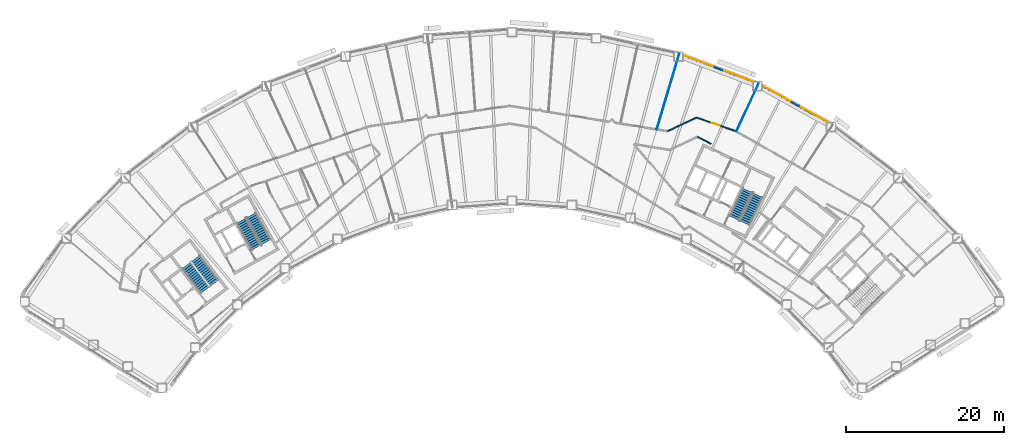
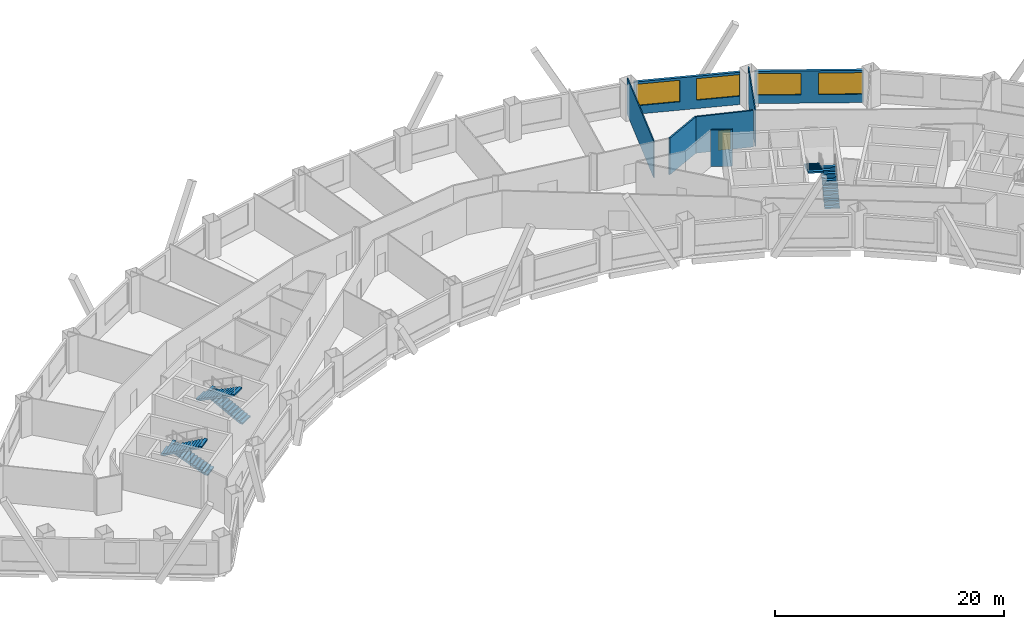
# One storey, part 9 of 12: 7 walls, 6 stair flights, 4 windows, 1 door, 5 openings, 3 elements without a shape of their own.
"""IFC4 building model written with IfcOpenShell, lengths in metres."""

from ifc_helpers import new_model, si_unit, direction, frame, frame_2d, origin, place, context, subcontext, project, spatial, polyline, rectangle, outline, extrude, material, layer, layer_set, type_object, element, fill, aggregate, save


model = new_model("IFC4")

# Units and contexts
model_context = context("Model", 3, precision=1e-05, world=origin(), true_north=direction((0.0, 1.0)))
body_context = subcontext(model_context, "Body", "Model", "MODEL_VIEW")
ifc_project = project(units=[si_unit("LENGTHUNIT", "METRE"), si_unit("AREAUNIT", "SQUARE_METRE"), si_unit("VOLUMEUNIT", "CUBIC_METRE"), si_unit("PLANEANGLEUNIT", "RADIAN"), si_unit("MASSUNIT", "GRAM", prefix="KILO")], contexts=[model_context])

# Site, building, storey
site_placement = place(None, origin())
site = spatial("IfcSite", under=ifc_project, at=site_placement, CompositionType="ELEMENT")
building_placement = place(site_placement, origin())
building = spatial("IfcBuilding", under=site, at=building_placement, Name="Tuul Gate Civic Tower", CompositionType="ELEMENT")
storey_placement = place(building_placement, frame((0.0, 0.0, 73.800048828125)))
storey = spatial("IfcBuildingStorey", under=building, at=storey_placement, Name="Level 16", CompositionType="ELEMENT", Elevation=73.800048828125)

# Wall, opening, door
ifc_material_1 = material(Name="Gypsum board partition")
ifc_layer_1 = layer(ifc_material_1, 0.14990234375)
ifc_layer_set_1 = layer_set([ifc_layer_1], Name="Gypsum board partition")
wall_type_1 = type_object("IfcWallType", Name="Corridor wall P150", PredefinedType="PARTITIONING", material=ifc_layer_set_1)
wall_1_placement = place(storey_placement, frame((28.1591796875, 7.878173828125, 0.0), z_axis=(0.0, 0.0, 1.0), x_axis=(0.945540696843, -0.32550390261, 0.0)))
wall_1 = element("IfcWall", 1, at=wall_1_placement, inside=storey, type_object=wall_type_1, Name="p013", PredefinedType="PARTITIONING", context=body_context, shape_type="SweptSolid", body=[
    extrude(rectangle(XDim=5.1474609375, YDim=0.14990234375, at=frame_2d((2.57373046875, 0.0))), origin(), (0.0, 0.0, 1.0), 3.89990234375),
])
opening_1_placement = place(wall_1_placement, frame((2.023681640625, 0.0, 0.0)))
opening_1 = element("IfcOpeningElement", 2, at=opening_1_placement, cuts=wall_1, Name="Opening E-D04", PredefinedType="OPENING", context=body_context, shape_type="SweptSolid", body=[
    extrude(rectangle(XDim=1.10009765625, YDim=2.10009765625, at=frame_2d((0.550048828125, 1.050048828125))), frame((0.0, 0.0849609375, 0.0), z_axis=(0.0, -1.0, 0.0), x_axis=(1.0, 0.0, 0.0)), (0.0, 0.0, 1.0), 0.169921875),
])
ifc_material_2 = material(Name="Timber door leaf", Category="wood")
door_type = type_object("IfcDoorType", Name="Door D11", OperationType="NOTDEFINED", PredefinedType="DOOR", material=ifc_material_2)
door_placement = place(opening_1_placement, origin())
door = element("IfcDoor", 3, at=door_placement, inside=storey, type_object=door_type, Name="Door E-D04", OperationType="SINGLE_SWING_RIGHT", OverallHeight=2.10009765625, OverallWidth=1.10009765625, PredefinedType="DOOR", context=body_context, shape_type="SweptSolid", body=[
    extrude(rectangle(XDim=1.10009765625, YDim=2.10009765625, at=frame_2d((0.550048828125, 1.050048828125))), frame((0.0, 0.02490234375, 0.0), z_axis=(0.0, -1.0, 0.0), x_axis=(1.0, 0.0, 0.0)), (0.0, 0.0, 1.0), 0.050048828125),
])
fill(opening_1, door)

# Walls
wall_2_placement = place(storey_placement, frame((24.51611328125, 6.15673828125, 0.0), z_axis=(0.0, 0.0, 1.0), x_axis=(0.904110153065, 0.427299463051, 0.0)))
element("IfcWall", 4, at=wall_2_placement, inside=storey, type_object=wall_type_1, Name="p014", PredefinedType="PARTITIONING", context=body_context, shape_type="SweptSolid", body=[
    extrude(rectangle(XDim=4.028564453125, YDim=0.14990234375, at=frame_2d((2.01416015625, 0.0))), origin(), (0.0, 0.0, 1.0), 3.89990234375),
])
wall_3_placement = place(storey_placement, frame((28.301025390625, 5.4482421875, 0.0), z_axis=(0.0, 0.0, 1.0), x_axis=(0.886812563629, -0.462129286011, 0.0)))
element("IfcWall", 5, at=wall_3_placement, inside=storey, type_object=wall_type_1, Name="p061", PredefinedType="PARTITIONING", context=body_context, shape_type="SweptSolid", body=[
    extrude(rectangle(XDim=1.929931640625, YDim=0.14990234375, at=frame_2d((0.96484375, 0.0))), origin(), (0.0, 0.0, 1.0), 3.89990234375),
])

# Wall, openings, windows
ifc_material_3 = material(Name="Precast concrete C40/50", Category="concrete")
ifc_layer_2 = layer(ifc_material_3, 0.25)
ifc_layer_set_2 = layer_set([ifc_layer_2], Name="Precast concrete C40/50")
wall_type_2 = type_object("IfcWallType", Name="External wall", PredefinedType="STANDARD", material=ifc_layer_set_2)
wall_4_placement = place(storey_placement, frame((44.798583984375, 7.283935546875, 0.0), z_axis=(0.0, 0.0, 1.0), x_axis=(-0.874600835604, 0.484843663835, 0.0)))
wall_4 = element("IfcWall", 6, at=wall_4_placement, inside=storey, type_object=wall_type_2, Name="External wall", PredefinedType="STANDARD", context=body_context, shape_type="SweptSolid", body=[
    extrude(rectangle(XDim=9.5205078125, YDim=0.25, at=frame_2d((4.76025390625, 0.0))), origin(), (0.0, 0.0, 1.0), 3.449951171875),
])
opening_2_placement = place(wall_4_placement, frame((0.0771484375, 0.0, 0.89990234375)))
opening_2 = element("IfcOpeningElement", 7, at=opening_2_placement, cuts=wall_4, Name="Opening W22", PredefinedType="OPENING", context=body_context, shape_type="SweptSolid", body=[
    extrude(rectangle(XDim=3.85009765625, YDim=2.300048828125, at=frame_2d((1.925048828125, 1.14990234375))), frame((0.0, 0.135009765625, 0.0), z_axis=(0.0, -1.0, 0.0), x_axis=(1.0, 0.0, 0.0)), (0.0, 0.0, 1.0), 0.27001953125),
])
opening_3_placement = place(wall_4_placement, frame((5.447998046875, 0.0, 0.89990234375)))
opening_3 = element("IfcOpeningElement", 8, at=opening_3_placement, cuts=wall_4, Name="Opening W22", PredefinedType="OPENING", context=body_context, shape_type="SweptSolid", body=[
    extrude(rectangle(XDim=3.85009765625, YDim=2.300048828125, at=frame_2d((1.925048828125, 1.14990234375))), frame((0.0, 0.135009765625, 0.0), z_axis=(0.0, -1.0, 0.0), x_axis=(1.0, 0.0, 0.0)), (0.0, 0.0, 1.0), 0.27001953125),
])
ifc_material_4 = material(Name="Glass", Category="glass")
window_type_1 = type_object("IfcWindowType", Name="Window W22 3850 x 2300", PartitioningType="SINGLE_PANEL", PredefinedType="WINDOW", material=ifc_material_4)
window_1_placement = place(opening_2_placement, origin())
window_1 = element("IfcWindow", 9, at=window_1_placement, inside=storey, type_object=window_type_1, Name="Window", OverallHeight=2.300048828125, OverallWidth=3.85009765625, PartitioningType="SINGLE_PANEL", PredefinedType="WINDOW", context=body_context, shape_type="SweptSolid", body=[
    extrude(rectangle(XDim=3.85009765625, YDim=2.300048828125, at=frame_2d((1.925048828125, 1.14990234375))), frame((0.0, 0.030029296875, 0.0), z_axis=(0.0, -1.0, 0.0), x_axis=(1.0, 0.0, 0.0)), (0.0, 0.0, 1.0), 0.06005859375),
])
fill(opening_2, window_1)
window_2_placement = place(opening_3_placement, origin())
window_2 = element("IfcWindow", 10, at=window_2_placement, inside=storey, type_object=window_type_1, Name="Window", OverallHeight=2.300048828125, OverallWidth=3.85009765625, PartitioningType="SINGLE_PANEL", PredefinedType="WINDOW", context=body_context, shape_type="SweptSolid", body=[
    extrude(rectangle(XDim=3.85009765625, YDim=2.300048828125, at=frame_2d((1.925048828125, 1.14990234375))), frame((0.0, 0.030029296875, 0.0), z_axis=(0.0, -1.0, 0.0), x_axis=(1.0, 0.0, 0.0)), (0.0, 0.0, 1.0), 0.06005859375),
])
fill(opening_3, window_2)

wall_5_placement = place(storey_placement, frame((35.27197265625, 12.43505859375, 0.0), z_axis=(0.0, 0.0, 1.0), x_axis=(-0.935339717619, 0.35375077759, 0.0)))
wall_5 = element("IfcWall", 11, at=wall_5_placement, inside=storey, type_object=wall_type_2, Name="External wall", PredefinedType="STANDARD", context=body_context, shape_type="SweptSolid", body=[
    extrude(rectangle(XDim=9.394287109375, YDim=0.25, at=frame_2d((4.697265625, 0.0))), origin(), (0.0, 0.0, 1.0), 3.449951171875),
])
opening_4_placement = place(wall_5_placement, frame((0.044921875, 0.0, 0.89990234375)))
opening_4 = element("IfcOpeningElement", 12, at=opening_4_placement, cuts=wall_5, Name="Opening W100", PredefinedType="OPENING", context=body_context, shape_type="SweptSolid", body=[
    extrude(rectangle(XDim=3.800048828125, YDim=2.300048828125, at=frame_2d((1.89990234375, 1.14990234375))), frame((0.0, 0.135009765625, 0.0), z_axis=(0.0, -1.0, 0.0), x_axis=(1.0, 0.0, 0.0)), (0.0, 0.0, 1.0), 0.27001953125),
])
opening_5_placement = place(wall_5_placement, frame((5.33447265625, 0.0, 0.89990234375)))
opening_5 = element("IfcOpeningElement", 13, at=opening_5_placement, cuts=wall_5, Name="Opening W22", PredefinedType="OPENING", context=body_context, shape_type="SweptSolid", body=[
    extrude(rectangle(XDim=3.85009765625, YDim=2.300048828125, at=frame_2d((1.925048828125, 1.14990234375))), frame((0.0, 0.135009765625, 0.0), z_axis=(0.0, -1.0, 0.0), x_axis=(1.0, 0.0, 0.0)), (0.0, 0.0, 1.0), 0.27001953125),
])
ifc_material_5 = material(Name="Glass", Category="glass")
window_type_2 = type_object("IfcWindowType", Name="Window W100 3800 x 2300", PartitioningType="SINGLE_PANEL", PredefinedType="WINDOW", material=ifc_material_5)
window_3_placement = place(opening_4_placement, origin())
window_3 = element("IfcWindow", 14, at=window_3_placement, inside=storey, type_object=window_type_2, Name="Window", OverallHeight=2.300048828125, OverallWidth=3.800048828125, PartitioningType="SINGLE_PANEL", PredefinedType="WINDOW", context=body_context, shape_type="SweptSolid", body=[
    extrude(rectangle(XDim=3.800048828125, YDim=2.300048828125, at=frame_2d((1.89990234375, 1.14990234375))), frame((0.0, 0.030029296875, 0.0), z_axis=(0.0, -1.0, 0.0), x_axis=(1.0, 0.0, 0.0)), (0.0, 0.0, 1.0), 0.06005859375),
])
fill(opening_4, window_3)
window_4_placement = place(opening_5_placement, origin())
window_4 = element("IfcWindow", 15, at=window_4_placement, inside=storey, type_object=window_type_1, Name="Window", OverallHeight=2.300048828125, OverallWidth=3.85009765625, PartitioningType="SINGLE_PANEL", PredefinedType="WINDOW", context=body_context, shape_type="SweptSolid", body=[
    extrude(rectangle(XDim=3.85009765625, YDim=2.300048828125, at=frame_2d((1.925048828125, 1.14990234375))), frame((0.0, 0.030029296875, 0.0), z_axis=(0.0, -1.0, 0.0), x_axis=(1.0, 0.0, 0.0)), (0.0, 0.0, 1.0), 0.06005859375),
])
fill(opening_5, window_4)

# Walls
ifc_material_6 = material(Name="Gypsum board partition")
ifc_layer_3 = layer(ifc_material_6, 0.10009765625)
ifc_layer_set_3 = layer_set([ifc_layer_3], Name="Gypsum board partition")
wall_type_3 = type_object("IfcWallType", Name="Partition P100", PredefinedType="PARTITIONING", material=ifc_layer_set_3)
wall_6_placement = place(storey_placement, frame((33.204345703125, 6.102294921875, 0.0), z_axis=(0.0, 0.0, 1.0), x_axis=(0.420337673154, 0.90736775374, 0.0)))
element("IfcWall", 16, at=wall_6_placement, inside=storey, type_object=wall_type_3, Name="p011", PredefinedType="PARTITIONING", context=body_context, shape_type="SweptSolid", body=[
    extrude(rectangle(XDim=6.677001953125, YDim=0.10009765625, at=frame_2d((3.33837890625, 0.0))), origin(), (0.0, 0.0, 1.0), 3.89990234375),
])
wall_7_placement = place(storey_placement, frame((23.12890625, 6.375732421875, 0.0), z_axis=(0.0, 0.0, 1.0), x_axis=(0.285222605496, 0.958461300895, 0.0)))
element("IfcWall", 17, at=wall_7_placement, inside=storey, type_object=wall_type_3, Name="p012", PredefinedType="PARTITIONING", context=body_context, shape_type="SweptSolid", body=[
    extrude(rectangle(XDim=9.994140625, YDim=0.10009765625, at=frame_2d((4.9970703125, 0.0))), origin(), (0.0, 0.0, 1.0), 3.89990234375),
])

# Stair, stair flights
ifc_material_7 = material(Name="Concrete C40/50", Category="concrete")
stair_type = type_object("IfcStairType", Name="Exit stair", PredefinedType="HALF_TURN_STAIR", material=ifc_material_7)
stair_1_placement = place(storey_placement, origin())
stair_1 = element("IfcStair", 18, at=stair_1_placement, inside=storey, type_object=stair_type, Name="Level 16 ST-1", PredefinedType="HALF_TURN_STAIR")
ifc_material_8 = material(Name="Concrete C40/50", Category="concrete")
stair_flight_type = type_object("IfcStairFlightType", Name="Exit stair flight", PredefinedType="STRAIGHT", material=ifc_material_8)
stair_flight_1_placement = place(storey_placement, frame((-32.875244140625, -13.066650390625, 0.0), z_axis=(0.0, 0.0, 1.0), x_axis=(-0.605764474941, 0.795644016442, 0.0)))
stair_flight_1 = element("IfcStairFlight", 19, at=stair_flight_1_placement, type_object=stair_flight_type, Name="ST-1 flight 1", NumberOfRisers=14, NumberOfTreads=13, PredefinedType="STRAIGHT", RiserHeight=0.15, TreadLength=0.3, context=body_context, shape_type="SweptSolid", body=[
    extrude(outline(polyline([(0.0, 0.0), (0.0, 0.14990234375), (0.300048828125, 0.14990234375), (0.300048828125, 0.300048828125), (0.60009765625, 0.300048828125), (0.60009765625, 0.449951171875), (0.89990234375, 0.449951171875), (0.89990234375, 0.60009765625), (1.199951171875, 0.60009765625), (1.199951171875, 0.75), (1.5, 0.75), (1.5, 0.89990234375), (1.800048828125, 0.89990234375), (1.800048828125, 1.050048828125), (2.10009765625, 1.050048828125), (2.10009765625, 1.199951171875), (2.39990234375, 1.199951171875), (2.39990234375, 1.35009765625), (2.699951171875, 1.35009765625), (2.699951171875, 1.5), (3.0, 1.5), (3.0, 1.64990234375), (3.300048828125, 1.64990234375), (3.300048828125, 1.800048828125), (3.60009765625, 1.800048828125), (3.60009765625, 1.949951171875), (3.89990234375, 1.949951171875), (3.89990234375, 2.10009765625), (3.89990234375, 1.782470703125), (0.335205078125, 0.0), (0.0, 0.0)])), frame((0.0, 0.675048828125, 0.0), z_axis=(0.0, -1.0, 0.0), x_axis=(1.0, 0.0, 0.0)), (0.0, 0.0, 1.0), 1.35009765625),
])
stair_flight_2_placement = place(storey_placement, frame((-36.391357421875, -10.842041015625, 2.099853515625), z_axis=(0.0, 0.0, 1.0), x_axis=(0.605764474941, -0.795644016442, 0.0)))
stair_flight_2 = element("IfcStairFlight", 20, at=stair_flight_2_placement, type_object=stair_flight_type, Name="ST-1 flight 2", NumberOfRisers=14, NumberOfTreads=13, PredefinedType="STRAIGHT", RiserHeight=0.15, TreadLength=0.3, context=body_context, shape_type="SweptSolid", body=[
    extrude(outline(polyline([(0.0, 0.0), (0.0, 0.14990234375), (0.300048828125, 0.14990234375), (0.300048828125, 0.300048828125), (0.60009765625, 0.300048828125), (0.60009765625, 0.449951171875), (0.89990234375, 0.449951171875), (0.89990234375, 0.60009765625), (1.199951171875, 0.60009765625), (1.199951171875, 0.75), (1.5, 0.75), (1.5, 0.89990234375), (1.800048828125, 0.89990234375), (1.800048828125, 1.050048828125), (2.10009765625, 1.050048828125), (2.10009765625, 1.199951171875), (2.39990234375, 1.199951171875), (2.39990234375, 1.35009765625), (2.699951171875, 1.35009765625), (2.699951171875, 1.5), (3.0, 1.5), (3.0, 1.64990234375), (3.300048828125, 1.64990234375), (3.300048828125, 1.800048828125), (3.60009765625, 1.800048828125), (3.60009765625, 1.949951171875), (3.89990234375, 1.949951171875), (3.89990234375, 2.10009765625), (3.89990234375, 1.782470703125), (0.335205078125, 0.0), (0.0, 0.0)])), frame((0.0, 0.675048828125, 0.0), z_axis=(0.0, -1.0, 0.0), x_axis=(1.0, 0.0, 0.0)), (0.0, 0.0, 1.0), 1.35009765625),
])
aggregate(stair_1, [stair_flight_1, stair_flight_2])

stair_2_placement = place(storey_placement, origin())
stair_2 = element("IfcStair", 21, at=stair_2_placement, inside=storey, type_object=stair_type, Name="Level 16 ST-2", PredefinedType="HALF_TURN_STAIR")
stair_flight_3_placement = place(storey_placement, frame((-26.29150390625, -7.87646484375, 0.0), z_axis=(0.0, 0.0, 1.0), x_axis=(-0.484761763766, 0.874646232708, 0.0)))
stair_flight_3 = element("IfcStairFlight", 22, at=stair_flight_3_placement, type_object=stair_flight_type, Name="ST-2 flight 1", NumberOfRisers=14, NumberOfTreads=13, PredefinedType="STRAIGHT", RiserHeight=0.15, TreadLength=0.3, context=body_context, shape_type="SweptSolid", body=[
    extrude(outline(polyline([(0.0, 0.0), (0.0, 0.14990234375), (0.300048828125, 0.14990234375), (0.300048828125, 0.300048828125), (0.60009765625, 0.300048828125), (0.60009765625, 0.449951171875), (0.89990234375, 0.449951171875), (0.89990234375, 0.60009765625), (1.199951171875, 0.60009765625), (1.199951171875, 0.75), (1.5, 0.75), (1.5, 0.89990234375), (1.800048828125, 0.89990234375), (1.800048828125, 1.050048828125), (2.10009765625, 1.050048828125), (2.10009765625, 1.199951171875), (2.39990234375, 1.199951171875), (2.39990234375, 1.35009765625), (2.699951171875, 1.35009765625), (2.699951171875, 1.5), (3.0, 1.5), (3.0, 1.64990234375), (3.300048828125, 1.64990234375), (3.300048828125, 1.800048828125), (3.60009765625, 1.800048828125), (3.60009765625, 1.949951171875), (3.89990234375, 1.949951171875), (3.89990234375, 2.10009765625), (3.89990234375, 1.782470703125), (0.335205078125, 0.0), (0.0, 0.0)])), frame((0.0, 0.675048828125, 0.0), z_axis=(0.0, -1.0, 0.0), x_axis=(1.0, 0.0, 0.0)), (0.0, 0.0, 1.0), 1.35009765625),
])
stair_flight_4_placement = place(storey_placement, frame((-29.450439453125, -5.168212890625, 2.099853515625), z_axis=(0.0, 0.0, 1.0), x_axis=(0.484761763766, -0.874646232708, 0.0)))
stair_flight_4 = element("IfcStairFlight", 23, at=stair_flight_4_placement, type_object=stair_flight_type, Name="ST-2 flight 2", NumberOfRisers=14, NumberOfTreads=13, PredefinedType="STRAIGHT", RiserHeight=0.15, TreadLength=0.3, context=body_context, shape_type="SweptSolid", body=[
    extrude(outline(polyline([(0.0, 0.0), (0.0, 0.14990234375), (0.300048828125, 0.14990234375), (0.300048828125, 0.300048828125), (0.60009765625, 0.300048828125), (0.60009765625, 0.449951171875), (0.89990234375, 0.449951171875), (0.89990234375, 0.60009765625), (1.199951171875, 0.60009765625), (1.199951171875, 0.75), (1.5, 0.75), (1.5, 0.89990234375), (1.800048828125, 0.89990234375), (1.800048828125, 1.050048828125), (2.10009765625, 1.050048828125), (2.10009765625, 1.199951171875), (2.39990234375, 1.199951171875), (2.39990234375, 1.35009765625), (2.699951171875, 1.35009765625), (2.699951171875, 1.5), (3.0, 1.5), (3.0, 1.64990234375), (3.300048828125, 1.64990234375), (3.300048828125, 1.800048828125), (3.60009765625, 1.800048828125), (3.60009765625, 1.949951171875), (3.89990234375, 1.949951171875), (3.89990234375, 2.10009765625), (3.89990234375, 1.782470703125), (0.335205078125, 0.0), (0.0, 0.0)])), frame((0.0, 0.675048828125, 0.0), z_axis=(0.0, -1.0, 0.0), x_axis=(1.0, 0.0, 0.0)), (0.0, 0.0, 1.0), 1.35009765625),
])
aggregate(stair_2, [stair_flight_3, stair_flight_4])

stair_3_placement = place(storey_placement, origin())
stair_3 = element("IfcStair", 24, at=stair_3_placement, inside=storey, type_object=stair_type, Name="Level 16 ST-4", PredefinedType="HALF_TURN_STAIR")
stair_flight_5_placement = place(storey_placement, frame((34.278564453125, -5.478515625, 0.0), z_axis=(0.0, 0.0, 1.0), x_axis=(0.422576295988, 0.906327354806, 0.0)))
stair_flight_5 = element("IfcStairFlight", 25, at=stair_flight_5_placement, type_object=stair_flight_type, Name="ST-4 flight 1", NumberOfRisers=14, NumberOfTreads=13, PredefinedType="STRAIGHT", RiserHeight=0.15, TreadLength=0.3, context=body_context, shape_type="SweptSolid", body=[
    extrude(outline(polyline([(0.0, 0.0), (0.0, 0.14990234375), (0.300048828125, 0.14990234375), (0.300048828125, 0.300048828125), (0.60009765625, 0.300048828125), (0.60009765625, 0.449951171875), (0.89990234375, 0.449951171875), (0.89990234375, 0.60009765625), (1.199951171875, 0.60009765625), (1.199951171875, 0.75), (1.5, 0.75), (1.5, 0.89990234375), (1.800048828125, 0.89990234375), (1.800048828125, 1.050048828125), (2.10009765625, 1.050048828125), (2.10009765625, 1.199951171875), (2.39990234375, 1.199951171875), (2.39990234375, 1.35009765625), (2.699951171875, 1.35009765625), (2.699951171875, 1.5), (3.0, 1.5), (3.0, 1.64990234375), (3.300048828125, 1.64990234375), (3.300048828125, 1.800048828125), (3.60009765625, 1.800048828125), (3.60009765625, 1.949951171875), (3.89990234375, 1.949951171875), (3.89990234375, 2.10009765625), (3.89990234375, 1.782470703125), (0.335205078125, 0.0), (0.0, 0.0)])), frame((0.0, 0.675048828125, 0.0), z_axis=(0.0, -1.0, 0.0), x_axis=(1.0, 0.0, 0.0)), (0.0, 0.0, 1.0), 1.35009765625),
])
stair_flight_6_placement = place(storey_placement, frame((34.612548828125, -1.3310546875, 2.099853515625), z_axis=(0.0, 0.0, 1.0), x_axis=(-0.422576295988, -0.906327354806, 0.0)))
stair_flight_6 = element("IfcStairFlight", 26, at=stair_flight_6_placement, type_object=stair_flight_type, Name="ST-4 flight 2", NumberOfRisers=14, NumberOfTreads=13, PredefinedType="STRAIGHT", RiserHeight=0.15, TreadLength=0.3, context=body_context, shape_type="SweptSolid", body=[
    extrude(outline(polyline([(0.0, 0.0), (0.0, 0.14990234375), (0.300048828125, 0.14990234375), (0.300048828125, 0.300048828125), (0.60009765625, 0.300048828125), (0.60009765625, 0.449951171875), (0.89990234375, 0.449951171875), (0.89990234375, 0.60009765625), (1.199951171875, 0.60009765625), (1.199951171875, 0.75), (1.5, 0.75), (1.5, 0.89990234375), (1.800048828125, 0.89990234375), (1.800048828125, 1.050048828125), (2.10009765625, 1.050048828125), (2.10009765625, 1.199951171875), (2.39990234375, 1.199951171875), (2.39990234375, 1.35009765625), (2.699951171875, 1.35009765625), (2.699951171875, 1.5), (3.0, 1.5), (3.0, 1.64990234375), (3.300048828125, 1.64990234375), (3.300048828125, 1.800048828125), (3.60009765625, 1.800048828125), (3.60009765625, 1.949951171875), (3.89990234375, 1.949951171875), (3.89990234375, 2.10009765625), (3.89990234375, 1.782470703125), (0.335205078125, 0.0), (0.0, 0.0)])), frame((0.0, 0.675048828125, 0.0), z_axis=(0.0, -1.0, 0.0), x_axis=(1.0, 0.0, 0.0)), (0.0, 0.0, 1.0), 1.35009765625),
])
aggregate(stair_3, [stair_flight_5, stair_flight_6])

save(model, "model.ifc")
